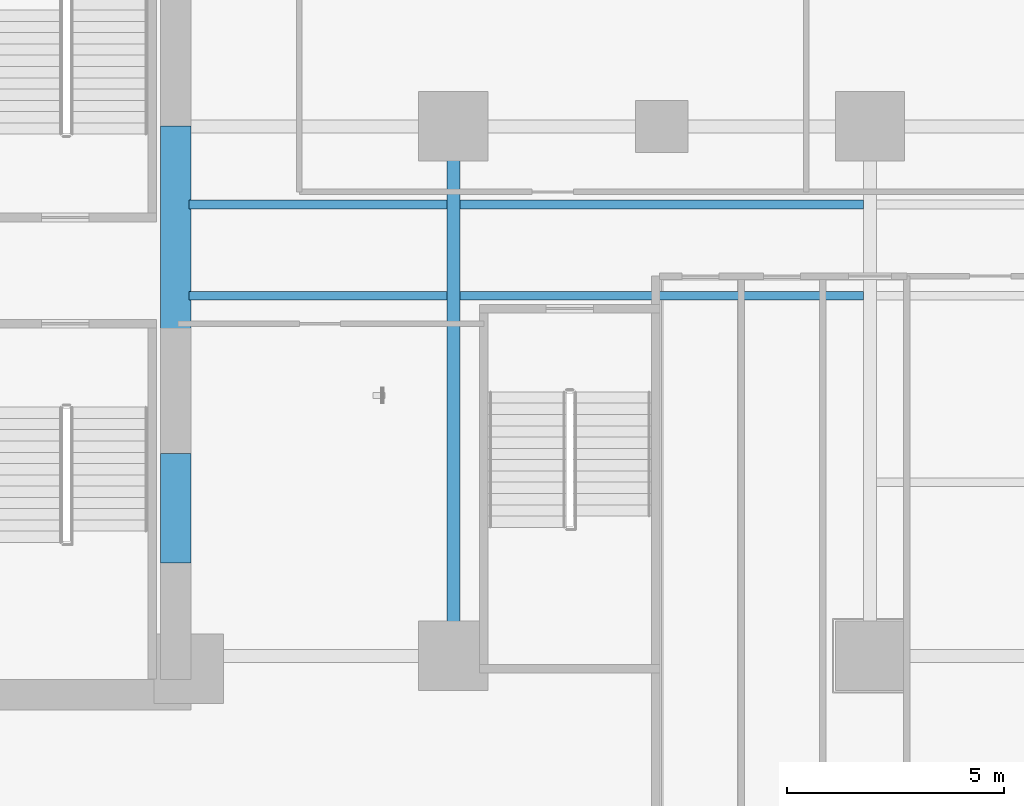
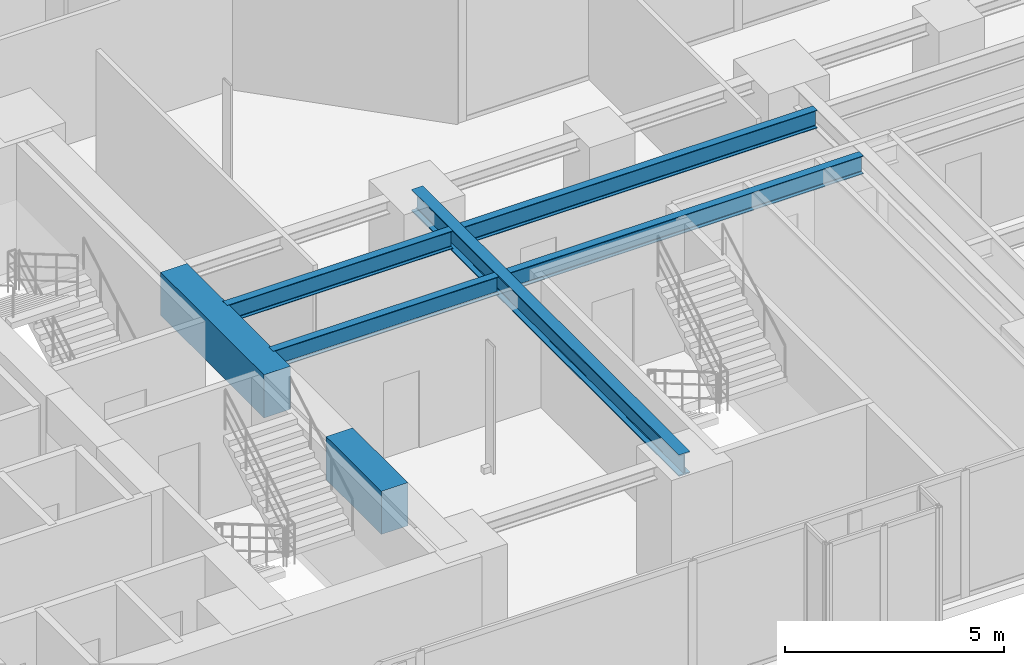
# One storey, part 5 of 27: 7 beams.
"""IFC4 building model written with IfcOpenShell, lengths in metres."""

from ifc_helpers import new_model, si_unit, direction, frame, origin, origin_2d, place, context, subcontext, project, spatial, rectangle, i_section, extrude, material, material_profile, profile_set, type_object, element, save


model = new_model("IFC4")

# Units and contexts
model_context = context("Model", 3, precision=1e-05, world=origin(), true_north=direction((0.0, 1.0)))
body_context = subcontext(model_context, "Body", "Model", "MODEL_VIEW")
ifc_project = project(units=[si_unit("LENGTHUNIT", "METRE"), si_unit("AREAUNIT", "SQUARE_METRE"), si_unit("VOLUMEUNIT", "CUBIC_METRE"), si_unit("PLANEANGLEUNIT", "RADIAN"), si_unit("MASSUNIT", "GRAM", prefix="KILO")], contexts=[model_context])

# Site, building, storey
site_placement = place(None, origin())
site = spatial("IfcSite", under=ifc_project, at=site_placement, CompositionType="ELEMENT")
building_placement = place(site_placement, origin())
building = spatial("IfcBuilding", under=site, at=building_placement, Name="Kolvaren Waterfront Exchange", CompositionType="ELEMENT")
storey_placement = place(building_placement, frame((0.0, 0.0, 63.800048828125)))
storey = spatial("IfcBuildingStorey", under=building, at=storey_placement, Name="L16", CompositionType="ELEMENT", Elevation=63.800048828125)

# Beams
ifc_material_1 = material(Name="Steel S355", Category="steel")
ifc_material_profile_1 = material_profile(ifc_material_1, i_section(OverallWidth=0.300048828125, OverallDepth=0.60009765625, WebThickness=0.015380859375, FlangeThickness=0.030029296875, FilletRadius=0.027099609375, at=origin_2d()), Name="HEB600")
ifc_profile_set_1 = profile_set([ifc_material_profile_1], Name="Steel S355")
beam_type_1 = type_object("IfcBeamType", Name="STR-BM-HEB600", PredefinedType="BEAM", material=ifc_profile_set_1)
beam_1_placement = place(storey_placement, frame((27.199951171875, 5.199951171875, 3.239990234375), z_axis=(0.0, 1.0, 0.0), x_axis=(-1.0, 0.0, 0.0)))
element("IfcBeam", 1, at=beam_1_placement, inside=storey, type_object=beam_type_1, Name="L16 east-arm transverse girder X27", PredefinedType="BEAM", context=body_context, shape_type="SweptSolid", body=[
    extrude(i_section(OverallWidth=0.300048828125, OverallDepth=0.60009765625, WebThickness=0.015380859375, FlangeThickness=0.030029296875, FilletRadius=0.027099609375, at=origin_2d()), origin(), (0.0, 0.0, 1.0), 12.199951171875),
])
ifc_material_profile_2 = material_profile(ifc_material_1, i_section(OverallWidth=0.199951171875, OverallDepth=0.5, WebThickness=0.01025390625, FlangeThickness=0.01611328125, FilletRadius=0.02099609375, at=origin_2d()), Name="IPE500")
ifc_profile_set_2 = profile_set([ifc_material_profile_2], Name="Steel S355")
beam_type_2 = type_object("IfcBeamType", Name="STR-BM-IPE500", PredefinedType="JOIST", material=ifc_profile_set_2)
for number, where, z_axis, x_axis, name in (
    (2, (21.10009765625, 13.5, 3.2900390625), (1.0, 0.0, 0.0), (0.0, 1.0, 0.0), "L16 east-arm composite joist 1A"),
    (3, (21.10009765625, 15.60009765625, 3.2900390625), (1.0, 0.0, 0.0), (0.0, 1.0, 0.0), "L16 east-arm composite joist 1C"),
):
    element("IfcBeam", number, at=place(storey_placement, frame(where, z_axis=z_axis, x_axis=x_axis)), inside=storey, type_object=beam_type_2, Name=name, PredefinedType="JOIST", context=body_context, shape_type="SweptSolid", body=[
        extrude(i_section(OverallWidth=0.199951171875, OverallDepth=0.5, WebThickness=0.01025390625, FlangeThickness=0.01611328125, FilletRadius=0.02099609375, at=origin_2d()), origin(), (0.0, 0.0, 1.0), 5.947998046875),
    ])
for number, where, z_axis, x_axis, name in (
    (4, (27.35205078125, 13.5, 3.2900390625), (1.0, 0.0, 0.0), (0.0, 1.0, 0.0), "L16 east-arm composite joist 2A"),
    (5, (27.35205078125, 15.60009765625, 3.2900390625), (1.0, 0.0, 0.0), (0.0, 1.0, 0.0), "L16 east-arm composite joist 2C"),
):
    element("IfcBeam", number, at=place(storey_placement, frame(where, z_axis=z_axis, x_axis=x_axis)), inside=storey, type_object=beam_type_2, Name=name, PredefinedType="JOIST", context=body_context, shape_type="SweptSolid", body=[
        extrude(i_section(OverallWidth=0.199951171875, OverallDepth=0.5, WebThickness=0.01025390625, FlangeThickness=0.01611328125, FilletRadius=0.02099609375, at=origin_2d()), origin(), (0.0, 0.0, 1.0), 9.2958984375),
    ])
ifc_material_2 = material(Name="Concrete C70/85", Category="concrete")
ifc_material_profile_3 = material_profile(ifc_material_2, rectangle(XDim=0.699951171875, YDim=1.199951171875, at=origin_2d()), Name="RC-CB-1200x700")
ifc_profile_set_3 = profile_set([ifc_material_profile_3], Name="Concrete C70/85")
beam_type_3 = type_object("IfcBeamType", Name="STR-CB-1200", PredefinedType="SPANDREL", material=ifc_profile_set_3)
beam_2_placement = place(storey_placement, frame((20.800048828125, 7.340087890625, 2.93994140625), z_axis=(0.0, 1.0, 0.0), x_axis=(-1.0, 0.0, 0.0)))
element("IfcBeam", 6, at=beam_2_placement, inside=storey, type_object=beam_type_3, Name="L16 core coupling beam 1", PredefinedType="SPANDREL", context=body_context, shape_type="SweptSolid", body=[
    extrude(rectangle(XDim=0.699951171875, YDim=1.199951171875, at=origin_2d()), origin(), (0.0, 0.0, 1.0), 2.52001953125),
])
beam_3_placement = place(storey_placement, frame((20.800048828125, 12.68994140625, 2.93994140625), z_axis=(0.0, 1.0, 0.0), x_axis=(-1.0, 0.0, 0.0)))
element("IfcBeam", 7, at=beam_3_placement, inside=storey, type_object=beam_type_3, Name="L16 core coupling beam 2", PredefinedType="SPANDREL", context=body_context, shape_type="SweptSolid", body=[
    extrude(rectangle(XDim=0.699951171875, YDim=1.199951171875, at=origin_2d()), origin(), (0.0, 0.0, 1.0), 4.719970703125),
])

save(model, "model.ifc")
